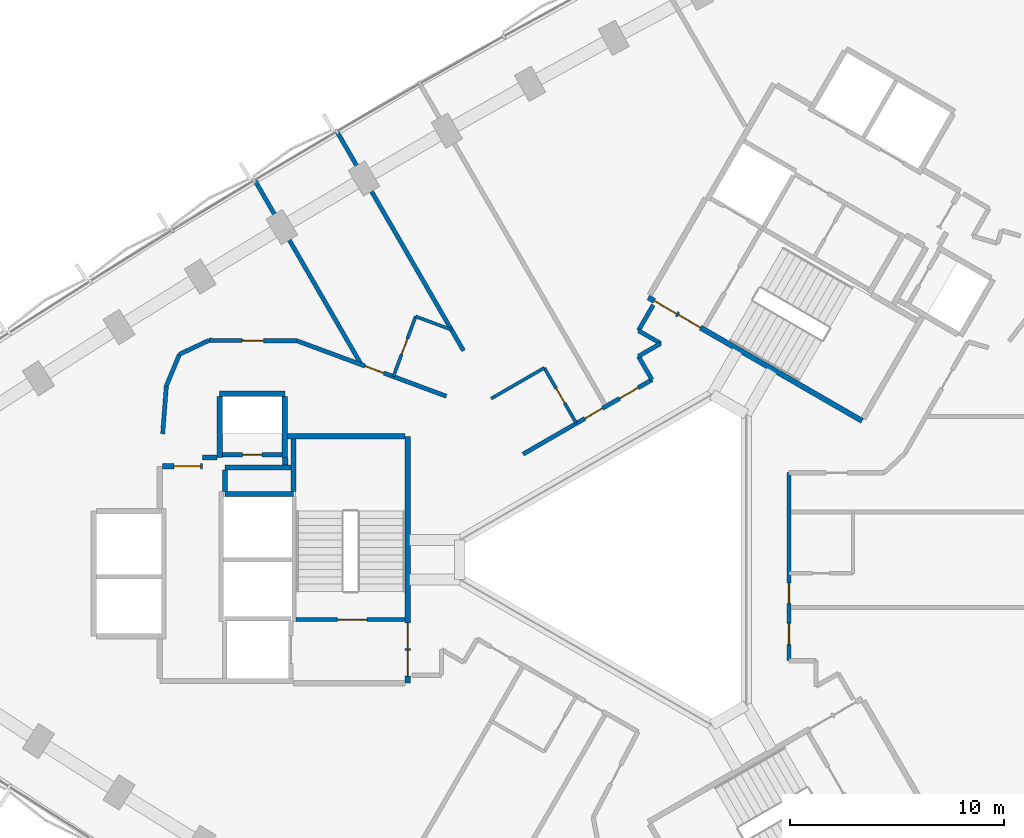
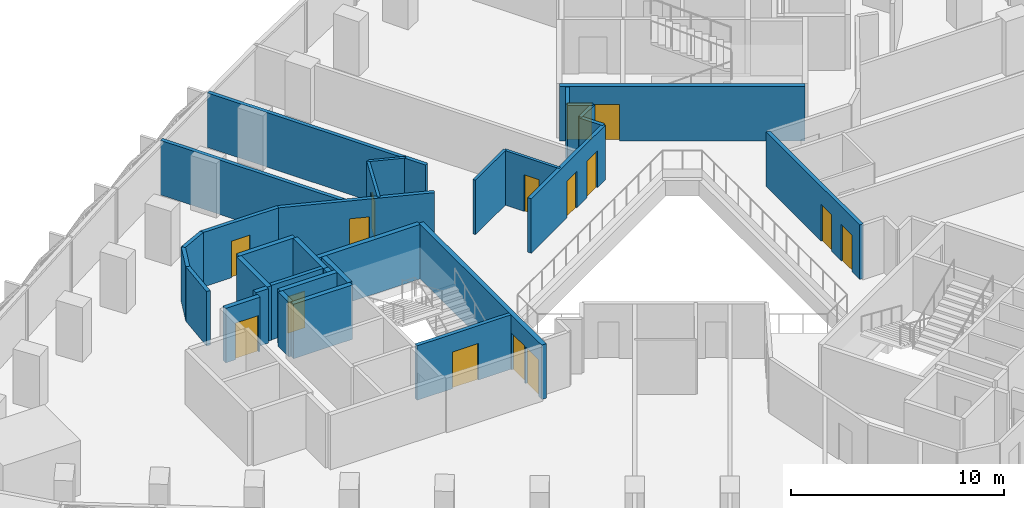
# One storey, part 10 of 15: 32 walls, 15 doors, 15 openings.
"""IFC4 building model written with IfcOpenShell, lengths in metres."""

from ifc_helpers import new_model, si_unit, direction, frame, frame_2d, origin, place, context, subcontext, project, spatial, rectangle, extrude, material, layer, layer_set, type_object, element, fill, save


model = new_model("IFC4")

# Units and contexts
model_context = context("Model", 3, precision=1e-05, world=origin(), true_north=direction((0.0, 1.0)))
body_context = subcontext(model_context, "Body", "Model", "MODEL_VIEW")
ifc_project = project(units=[si_unit("LENGTHUNIT", "METRE"), si_unit("AREAUNIT", "SQUARE_METRE"), si_unit("VOLUMEUNIT", "CUBIC_METRE"), si_unit("PLANEANGLEUNIT", "RADIAN"), si_unit("MASSUNIT", "GRAM", prefix="KILO")], contexts=[model_context])

# Site, building, storey
site_placement = place(None, origin())
site = spatial("IfcSite", under=ifc_project, at=site_placement, CompositionType="ELEMENT")
building_placement = place(site_placement, origin())
building = spatial("IfcBuilding", under=site, at=building_placement, Name="Tamra Quay Hotel Tower", CompositionType="ELEMENT")
storey_placement = place(building_placement, frame((0.0, 0.0, 63.800048828125)))
storey = spatial("IfcBuildingStorey", under=building, at=storey_placement, Name="L14", CompositionType="ELEMENT", Elevation=63.800048828125)

# Wall, opening, door
ifc_material_1 = material(Name="Concrete M70", Category="concrete")
ifc_layer_1 = layer(ifc_material_1, 0.199951171875)
ifc_layer_set_1 = layer_set([ifc_layer_1], Name="Concrete M70 core wall 200")
wall_type_1 = type_object("IfcWallType", Name="Concrete M70 core wall 200", PredefinedType="SHEAR", material=ifc_layer_set_1)
wall_1_placement = place(storey_placement, frame((-10.96337890625, -2.800048828125, 0.0), z_axis=(0.0, 0.0, 1.0), x_axis=(-1.0, 0.0, 0.0)))
wall_1 = element("IfcWall", 1, at=wall_1_placement, inside=storey, type_object=wall_type_1, Name="CW2", PredefinedType="SHEAR", context=body_context, shape_type="SweptSolid", body=[
    extrude(rectangle(XDim=5.097900390625, YDim=0.199951171875, at=frame_2d((2.548828125, 0.0))), origin(), (0.0, 0.0, 1.0), 3.125),
])
opening_1_placement = place(wall_1_placement, frame((1.77392578125, 0.0, 0.0)))
opening_1 = element("IfcOpeningElement", 2, at=opening_1_placement, cuts=wall_1, Name="Opening FD2", PredefinedType="OPENING", context=body_context, shape_type="SweptSolid", body=[
    extrude(rectangle(XDim=1.39990234375, YDim=2.10009765625, at=frame_2d((0.699951171875, 1.050048828125))), frame((0.0, 0.10986328125, 0.0), z_axis=(0.0, -1.0, 0.0), x_axis=(1.0, 0.0, 0.0)), (0.0, 0.0, 1.0), 0.219970703125),
])
ifc_material_2 = material(Name="Core door FD2 1400x2100 RH")
door_type_1 = type_object("IfcDoorType", Name="Core door FD2 1400x2100 RH", OperationType="NOTDEFINED", PredefinedType="DOOR", material=ifc_material_2)
door_1_placement = place(opening_1_placement, origin())
door_1 = element("IfcDoor", 3, at=door_1_placement, inside=storey, type_object=door_type_1, Name="FD2", OperationType="SINGLE_SWING_RIGHT", OverallHeight=2.10009765625, OverallWidth=1.39990234375, PredefinedType="DOOR", context=body_context, shape_type="SweptSolid", body=[
    extrude(rectangle(XDim=1.39990234375, YDim=2.10009765625, at=frame_2d((0.699951171875, 1.050048828125))), frame((0.0, 0.02490234375, 0.0), z_axis=(0.0, -1.0, 0.0), x_axis=(1.0, 0.0, 0.0)), (0.0, 0.0, 1.0), 0.050048828125),
])
fill(opening_1, door_1)

wall_2_placement = place(storey_placement, frame((-19.51123046875, 4.91015625, 0.0), z_axis=(0.0, 0.0, 1.0), x_axis=(1.0, 0.0, 0.0)))
wall_2 = element("IfcWall", 4, at=wall_2_placement, inside=storey, type_object=wall_type_1, Name="CW2", PredefinedType="SHEAR", context=body_context, shape_type="SweptSolid", body=[
    extrude(rectangle(XDim=2.7978515625, YDim=0.199951171875, at=frame_2d((1.39892578125, 0.0))), origin(), (0.0, 0.0, 1.0), 3.125),
])
opening_2_placement = place(wall_2_placement, frame((0.948974609375, 0.0, 0.0)))
opening_2 = element("IfcOpeningElement", 5, at=opening_2_placement, cuts=wall_2, Name="Opening D1", PredefinedType="OPENING", context=body_context, shape_type="SweptSolid", body=[
    extrude(rectangle(XDim=0.89990234375, YDim=2.10009765625, at=frame_2d((0.449951171875, 1.050048828125))), frame((0.0, 0.10986328125, 0.0), z_axis=(0.0, -1.0, 0.0), x_axis=(1.0, 0.0, 0.0)), (0.0, 0.0, 1.0), 0.219970703125),
])
ifc_material_3 = material(Name="Core door D1 900x2100 LH")
door_type_2 = type_object("IfcDoorType", Name="Core door D1 900x2100 LH", OperationType="NOTDEFINED", PredefinedType="DOOR", material=ifc_material_3)
door_2_placement = place(opening_2_placement, origin())
door_2 = element("IfcDoor", 6, at=door_2_placement, inside=storey, type_object=door_type_2, Name="D1", OperationType="SINGLE_SWING_LEFT", OverallHeight=2.10009765625, OverallWidth=0.89990234375, PredefinedType="DOOR", context=body_context, shape_type="SweptSolid", body=[
    extrude(rectangle(XDim=0.89990234375, YDim=2.10009765625, at=frame_2d((0.449951171875, 1.050048828125))), frame((0.0, 0.02490234375, 0.0), z_axis=(0.0, -1.0, 0.0), x_axis=(1.0, 0.0, 0.0)), (0.0, 0.0, 1.0), 0.050048828125),
])
fill(opening_2, door_2)

# Wall, openings, doors
ifc_layer_2 = layer(ifc_material_1, 0.25)
ifc_layer_set_2 = layer_set([ifc_layer_2], Name="Concrete M70 core wall 250")
wall_type_2 = type_object("IfcWallType", Name="Concrete M70 core wall 250", PredefinedType="SHEAR", material=ifc_layer_set_2)
wall_3_placement = place(storey_placement, frame((-10.83740234375, 5.77490234375, 0.0), z_axis=(0.0, 0.0, 1.0), x_axis=(0.0, -1.0, 0.0)))
wall_3 = element("IfcWall", 7, at=wall_3_placement, inside=storey, type_object=wall_type_2, Name="CW1", PredefinedType="SHEAR", context=body_context, shape_type="SweptSolid", body=[
    extrude(rectangle(XDim=11.5498046875, YDim=0.25, at=frame_2d((5.77490234375, 0.0))), origin(), (0.0, 0.0, 1.0), 3.125),
])
opening_3_placement = place(wall_3_placement, frame((10.02490234375, 0.0, 0.0)))
opening_3 = element("IfcOpeningElement", 8, at=opening_3_placement, cuts=wall_3, Name="Opening FD1", PredefinedType="OPENING", context=body_context, shape_type="SweptSolid", body=[
    extrude(rectangle(XDim=1.199951171875, YDim=2.10009765625, at=frame_2d((0.60009765625, 1.050048828125))), frame((0.0, 0.135009765625, 0.0), z_axis=(0.0, -1.0, 0.0), x_axis=(1.0, 0.0, 0.0)), (0.0, 0.0, 1.0), 0.27001953125),
])
opening_4_placement = place(wall_3_placement, frame((8.72509765625, 0.0, 0.0)))
opening_4 = element("IfcOpeningElement", 9, at=opening_4_placement, cuts=wall_3, Name="Opening FD1", PredefinedType="OPENING", context=body_context, shape_type="SweptSolid", body=[
    extrude(rectangle(XDim=1.199951171875, YDim=2.10009765625, at=frame_2d((0.60009765625, 1.050048828125))), frame((0.0, 0.135009765625, 0.0), z_axis=(0.0, -1.0, 0.0), x_axis=(1.0, 0.0, 0.0)), (0.0, 0.0, 1.0), 0.27001953125),
])
ifc_material_4 = material(Name="Core door FD1 1200x2100 LH")
door_type_3 = type_object("IfcDoorType", Name="Core door FD1 1200x2100 LH", OperationType="NOTDEFINED", PredefinedType="DOOR", material=ifc_material_4)
door_3_placement = place(opening_3_placement, origin())
door_3 = element("IfcDoor", 10, at=door_3_placement, inside=storey, type_object=door_type_3, Name="FD1", OperationType="SINGLE_SWING_LEFT", OverallHeight=2.10009765625, OverallWidth=1.199951171875, PredefinedType="DOOR", context=body_context, shape_type="SweptSolid", body=[
    extrude(rectangle(XDim=1.199951171875, YDim=2.10009765625, at=frame_2d((0.60009765625, 1.050048828125))), frame((0.0, 0.02490234375, 0.0), z_axis=(0.0, -1.0, 0.0), x_axis=(1.0, 0.0, 0.0)), (0.0, 0.0, 1.0), 0.050048828125),
])
fill(opening_3, door_3)
ifc_material_5 = material(Name="Core door FD1 1200x2100 RH")
door_type_4 = type_object("IfcDoorType", Name="Core door FD1 1200x2100 RH", OperationType="NOTDEFINED", PredefinedType="DOOR", material=ifc_material_5)
door_4_placement = place(opening_4_placement, origin())
door_4 = element("IfcDoor", 11, at=door_4_placement, inside=storey, type_object=door_type_4, Name="FD1", OperationType="SINGLE_SWING_RIGHT", OverallHeight=2.10009765625, OverallWidth=1.199951171875, PredefinedType="DOOR", context=body_context, shape_type="SweptSolid", body=[
    extrude(rectangle(XDim=1.199951171875, YDim=2.10009765625, at=frame_2d((0.60009765625, 1.050048828125))), frame((0.0, 0.02490234375, 0.0), z_axis=(0.0, -1.0, 0.0), x_axis=(1.0, 0.0, 0.0)), (0.0, 0.0, 1.0), 0.050048828125),
])
fill(opening_4, door_4)

# Walls
wall_4_placement = place(storey_placement, frame((-16.47216796875, 5.77490234375, 0.0), z_axis=(0.0, 0.0, 1.0), x_axis=(1.0, 0.0, 0.0)))
element("IfcWall", 12, at=wall_4_placement, inside=storey, type_object=wall_type_2, Name="CW1", PredefinedType="SHEAR", context=body_context, shape_type="SweptSolid", body=[
    extrude(rectangle(XDim=5.509521484375, YDim=0.25, at=frame_2d((2.7548828125, 0.0))), origin(), (0.0, 0.0, 1.0), 3.125),
])
wall_5_placement = place(storey_placement, frame((-19.38720703125, 3.074951171875, 0.0), z_axis=(0.0, 0.0, 1.0), x_axis=(1.0, 0.0, 0.0)))
element("IfcWall", 13, at=wall_5_placement, inside=storey, type_object=wall_type_2, Name="CW1", PredefinedType="SHEAR", context=body_context, shape_type="SweptSolid", body=[
    extrude(rectangle(XDim=3.199951171875, YDim=0.25, at=frame_2d((1.60009765625, 0.0))), origin(), (0.0, 0.0, 1.0), 3.125),
])
wall_6_placement = place(storey_placement, frame((-19.63720703125, 7.77490234375, 0.0), z_axis=(0.0, 0.0, 1.0), x_axis=(1.0, 0.0, 0.0)))
element("IfcWall", 14, at=wall_6_placement, inside=storey, type_object=wall_type_2, Name="CW1", PredefinedType="SHEAR", context=body_context, shape_type="SweptSolid", body=[
    extrude(rectangle(XDim=3.0498046875, YDim=0.25, at=frame_2d((1.52490234375, 0.0))), origin(), (0.0, 0.0, 1.0), 3.125),
])
for number, where, z_axis, x_axis, name in (
    (15, (-16.58740234375, 7.649658203125, 0.0), (0.0, 0.0, 1.0), (0.0, -1.0, 0.0), "CW1"),
    (16, (-19.63720703125, 4.784912109375, 0.0), (0.0, 0.0, 1.0), (0.0, 1.0, 0.0), "CW1"),
):
    element("IfcWall", number, at=place(storey_placement, frame(where, z_axis=z_axis, x_axis=x_axis)), inside=storey, type_object=wall_type_2, Name=name, PredefinedType="SHEAR", context=body_context, shape_type="SweptSolid", body=[
        extrude(rectangle(XDim=2.86474609375, YDim=0.25, at=frame_2d((1.432373046875, 0.0))), origin(), (0.0, 0.0, 1.0), 3.125),
    ])
wall_7_placement = place(storey_placement, frame((-16.30224609375, 4.31494140625, 0.0), z_axis=(0.0, 0.0, 1.0), x_axis=(-1.0, 0.0, 0.0)))
element("IfcWall", 17, at=wall_7_placement, inside=storey, type_object=wall_type_2, Name="CW1", PredefinedType="SHEAR", context=body_context, shape_type="SweptSolid", body=[
    extrude(rectangle(XDim=3.0849609375, YDim=0.25, at=frame_2d((1.54248046875, 0.0))), origin(), (0.0, 0.0, 1.0), 3.125),
])
wall_8_placement = place(storey_placement, frame((-16.187255859375, 3.200439453125, 0.0), z_axis=(0.0, 0.0, 1.0), x_axis=(0.0, 1.0, 0.0)))
element("IfcWall", 18, at=wall_8_placement, inside=storey, type_object=wall_type_2, Name="CW1", PredefinedType="SHEAR", context=body_context, shape_type="SweptSolid", body=[
    extrude(rectangle(XDim=2.44921875, YDim=0.25, at=frame_2d((1.224609375, 0.0))), origin(), (0.0, 0.0, 1.0), 3.125),
])

# Wall, opening, door
wall_9_placement = place(storey_placement, frame((-22.311767578125, 4.375, 0.0), z_axis=(0.0, 0.0, 1.0), x_axis=(1.0, 0.0, 0.0)))
wall_9 = element("IfcWall", 19, at=wall_9_placement, inside=storey, type_object=wall_type_2, Name="CW1", PredefinedType="SHEAR", context=body_context, shape_type="SweptSolid", body=[
    extrude(rectangle(XDim=1.864501953125, YDim=0.25, at=frame_2d((0.93212890625, 0.0))), origin(), (0.0, 0.0, 1.0), 3.125),
])
opening_5_placement = place(wall_9_placement, frame((0.53466796875, 0.0, 0.0)))
opening_5 = element("IfcOpeningElement", 20, at=opening_5_placement, cuts=wall_9, Name="Opening FD3", PredefinedType="OPENING", context=body_context, shape_type="SweptSolid", body=[
    extrude(rectangle(XDim=1.25, YDim=2.10009765625, at=frame_2d((0.625, 1.050048828125))), frame((0.0, 0.135009765625, 0.0), z_axis=(0.0, -1.0, 0.0), x_axis=(1.0, 0.0, 0.0)), (0.0, 0.0, 1.0), 0.27001953125),
])
ifc_material_6 = material(Name="Core door FD3 1250x2100 LH")
door_type_5 = type_object("IfcDoorType", Name="Core door FD3 1250x2100 LH", OperationType="NOTDEFINED", PredefinedType="DOOR", material=ifc_material_6)
door_5_placement = place(opening_5_placement, origin())
door_5 = element("IfcDoor", 21, at=door_5_placement, inside=storey, type_object=door_type_5, Name="FD3", OperationType="SINGLE_SWING_LEFT", OverallHeight=2.10009765625, OverallWidth=1.25, PredefinedType="DOOR", context=body_context, shape_type="SweptSolid", body=[
    extrude(rectangle(XDim=1.25, YDim=2.10009765625, at=frame_2d((0.625, 1.050048828125))), frame((0.0, 0.02490234375, 0.0), z_axis=(0.0, -1.0, 0.0), x_axis=(1.0, 0.0, 0.0)), (0.0, 0.0, 1.0), 0.050048828125),
])
fill(opening_5, door_5)

# Walls
wall_10_placement = place(storey_placement, frame((-19.38720703125, 4.189697265625, 0.0), z_axis=(0.0, 0.0, 1.0), x_axis=(0.0, -1.0, 0.0)))
element("IfcWall", 22, at=wall_10_placement, inside=storey, type_object=wall_type_2, Name="CW1", PredefinedType="SHEAR", context=body_context, shape_type="SweptSolid", body=[
    extrude(rectangle(XDim=0.9892578125, YDim=0.25, at=frame_2d((0.49462890625, 0.0))), origin(), (0.0, 0.0, 1.0), 3.125),
])
wall_11_placement = place(storey_placement, frame((-20.447265625, 4.784912109375, 0.0), z_axis=(0.0, 0.0, 1.0), x_axis=(1.0, 0.0, 0.0)))
element("IfcWall", 23, at=wall_11_placement, inside=storey, type_object=wall_type_2, Name="CW1", PredefinedType="SHEAR", context=body_context, shape_type="SweptSolid", body=[
    extrude(rectangle(XDim=0.6845703125, YDim=0.25, at=frame_2d((0.34228515625, 0.0))), origin(), (0.0, 0.0, 1.0), 3.125),
])
wall_12_placement = place(storey_placement, frame((-16.577392578125, 4.784912109375, 0.0), z_axis=(0.0, 0.0, 1.0), x_axis=(0.0, -1.0, 0.0)))
element("IfcWall", 24, at=wall_12_placement, inside=storey, type_object=wall_type_2, Name="CW1", PredefinedType="SHEAR", context=body_context, shape_type="SweptSolid", body=[
    extrude(rectangle(XDim=0.344482421875, YDim=0.25, at=frame_2d((0.17236328125, 0.0))), origin(), (0.0, 0.0, 1.0), 3.125),
])

# Wall, openings, doors
wall_13_placement = place(storey_placement, frame((10.419921875, 6.497802734375, 0.0), z_axis=(0.0, 0.0, 1.0), x_axis=(-0.866021906294, 0.500006057782, 0.0)))
wall_13 = element("IfcWall", 25, at=wall_13_placement, inside=storey, type_object=wall_type_2, Name="CW1", PredefinedType="SHEAR", context=body_context, shape_type="SweptSolid", body=[
    extrude(rectangle(XDim=11.550048828125, YDim=0.25, at=frame_2d((5.77490234375, 0.0))), origin(), (0.0, 0.0, 1.0), 3.125),
])
opening_6_placement = place(wall_13_placement, frame((10.02490234375, 0.0, 0.0)))
opening_6 = element("IfcOpeningElement", 26, at=opening_6_placement, cuts=wall_13, Name="Opening FD1", PredefinedType="OPENING", context=body_context, shape_type="SweptSolid", body=[
    extrude(rectangle(XDim=1.199951171875, YDim=2.10009765625, at=frame_2d((0.60009765625, 1.050048828125))), frame((0.0, 0.135009765625, 0.0), z_axis=(0.0, -1.0, 0.0), x_axis=(1.0, 0.0, 0.0)), (0.0, 0.0, 1.0), 0.27001953125),
])
opening_7_placement = place(wall_13_placement, frame((8.724853515625, 0.0, 0.0)))
opening_7 = element("IfcOpeningElement", 27, at=opening_7_placement, cuts=wall_13, Name="Opening FD1", PredefinedType="OPENING", context=body_context, shape_type="SweptSolid", body=[
    extrude(rectangle(XDim=1.199951171875, YDim=2.10009765625, at=frame_2d((0.60009765625, 1.050048828125))), frame((0.0, 0.135009765625, 0.0), z_axis=(0.0, -1.0, 0.0), x_axis=(1.0, 0.0, 0.0)), (0.0, 0.0, 1.0), 0.27001953125),
])
door_6_placement = place(opening_6_placement, origin())
door_6 = element("IfcDoor", 28, at=door_6_placement, inside=storey, type_object=door_type_3, Name="FD1", OperationType="SINGLE_SWING_LEFT", OverallHeight=2.10009765625, OverallWidth=1.199951171875, PredefinedType="DOOR", context=body_context, shape_type="SweptSolid", body=[
    extrude(rectangle(XDim=1.199951171875, YDim=2.10009765625, at=frame_2d((0.60009765625, 1.050048828125))), frame((0.0, 0.02490234375, 0.0), z_axis=(0.0, -1.0, 0.0), x_axis=(1.0, 0.0, 0.0)), (0.0, 0.0, 1.0), 0.050048828125),
])
fill(opening_6, door_6)
door_7_placement = place(opening_7_placement, origin())
door_7 = element("IfcDoor", 29, at=door_7_placement, inside=storey, type_object=door_type_4, Name="FD1", OperationType="SINGLE_SWING_RIGHT", OverallHeight=2.10009765625, OverallWidth=1.199951171875, PredefinedType="DOOR", context=body_context, shape_type="SweptSolid", body=[
    extrude(rectangle(XDim=1.199951171875, YDim=2.10009765625, at=frame_2d((0.60009765625, 1.050048828125))), frame((0.0, 0.02490234375, 0.0), z_axis=(0.0, -1.0, 0.0), x_axis=(1.0, 0.0, 0.0)), (0.0, 0.0, 1.0), 0.050048828125),
])
fill(opening_7, door_7)

# Walls
ifc_material_7 = material(Name="Partition corridor wall")
ifc_layer_3 = layer(ifc_material_7, 0.199951171875)
ifc_layer_set_3 = layer_set([ifc_layer_3], Name="Partition corridor wall")
wall_type_3 = type_object("IfcWallType", Name="Partition corridor wall", PredefinedType="PARTITIONING", material=ifc_layer_set_3)
wall_14_placement = place(storey_placement, frame((-22.305908203125, 5.89501953125, 0.0), z_axis=(0.0, 0.0, 1.0), x_axis=(0.076246699626, 0.997088983389, 0.0)))
element("IfcWall", 30, at=wall_14_placement, inside=storey, type_object=wall_type_3, Name="W-C", PredefinedType="PARTITIONING", context=body_context, shape_type="SweptSolid", body=[
    extrude(rectangle(XDim=2.241455078125, YDim=0.199951171875, at=frame_2d((1.12060546875, 0.0))), origin(), (0.0, 0.0, 1.0), 3.125),
])
wall_15_placement = place(storey_placement, frame((-22.135009765625, 8.134033203125, 0.0), z_axis=(0.0, 0.0, 1.0), x_axis=(0.383208453534, 0.923661886807, 0.0)))
element("IfcWall", 31, at=wall_15_placement, inside=storey, type_object=wall_type_3, Name="W-C", PredefinedType="PARTITIONING", context=body_context, shape_type="SweptSolid", body=[
    extrude(rectangle(XDim=1.602294921875, YDim=0.199951171875, at=frame_2d((0.80126953125, 0.0))), origin(), (0.0, 0.0, 1.0), 3.125),
])
wall_16_placement = place(storey_placement, frame((-21.52099609375, 9.614013671875, 0.0), z_axis=(0.0, 0.0, 1.0), x_axis=(0.904083527367, 0.427355795028, 0.0)))
element("IfcWall", 32, at=wall_16_placement, inside=storey, type_object=wall_type_3, Name="W-C", PredefinedType="PARTITIONING", context=body_context, shape_type="SweptSolid", body=[
    extrude(rectangle(XDim=1.52294921875, YDim=0.199951171875, at=frame_2d((0.761474609375, 0.0))), origin(), (0.0, 0.0, 1.0), 3.125),
])

# Wall, opening, door
wall_17_placement = place(storey_placement, frame((-20.14306640625, 10.26611328125, 0.0), z_axis=(0.0, 0.0, 1.0), x_axis=(0.999989297417, -0.004626559416, 0.0)))
wall_17 = element("IfcWall", 33, at=wall_17_placement, inside=storey, type_object=wall_type_3, Name="W-C", PredefinedType="PARTITIONING", context=body_context, shape_type="SweptSolid", body=[
    extrude(rectangle(XDim=4.115966796875, YDim=0.199951171875, at=frame_2d((2.05810546875, 0.0))), origin(), (0.0, 0.0, 1.0), 3.125),
])
opening_8_placement = place(wall_17_placement, frame((1.55810546875, 0.0, 0.0)))
opening_8 = element("IfcOpeningElement", 34, at=opening_8_placement, cuts=wall_17, Name="Opening L14-D011", PredefinedType="OPENING", context=body_context, shape_type="SweptSolid", body=[
    extrude(rectangle(XDim=1.0, YDim=2.10009765625, at=frame_2d((0.5, 1.050048828125))), frame((0.0, 0.10986328125, 0.0), z_axis=(0.0, -1.0, 0.0), x_axis=(1.0, 0.0, 0.0)), (0.0, 0.0, 1.0), 0.219970703125),
])
ifc_material_8 = material(Name="Door guest room 1000x2100")
door_type_6 = type_object("IfcDoorType", Name="Door guest room 1000x2100", OperationType="NOTDEFINED", PredefinedType="DOOR", material=ifc_material_8)
door_8_placement = place(opening_8_placement, origin())
door_8 = element("IfcDoor", 35, at=door_8_placement, inside=storey, type_object=door_type_6, Name="L14-D011", OperationType="SINGLE_SWING_LEFT", OverallHeight=2.10009765625, OverallWidth=1.0, PredefinedType="DOOR", context=body_context, shape_type="SweptSolid", body=[
    extrude(rectangle(XDim=1.0, YDim=2.10009765625, at=frame_2d((0.5, 1.050048828125))), frame((0.0, 0.02490234375, 0.0), z_axis=(0.0, -1.0, 0.0), x_axis=(1.0, 0.0, 0.0)), (0.0, 0.0, 1.0), 0.050048828125),
])
fill(opening_8, door_8)

wall_18_placement = place(storey_placement, frame((-16.02587890625, 10.24658203125, 0.0), z_axis=(0.0, 0.0, 1.0), x_axis=(0.937540909117, -0.347875040397, 0.0)))
wall_18 = element("IfcWall", 36, at=wall_18_placement, inside=storey, type_object=wall_type_3, Name="W-C", PredefinedType="PARTITIONING", context=body_context, shape_type="SweptSolid", body=[
    extrude(rectangle(XDim=7.458740234375, YDim=0.199951171875, at=frame_2d((3.7294921875, 0.0))), origin(), (0.0, 0.0, 1.0), 3.125),
])
opening_9_placement = place(wall_18_placement, frame((3.3955078125, 0.0, 0.0)))
opening_9 = element("IfcOpeningElement", 37, at=opening_9_placement, cuts=wall_18, Name="Opening L14-D009", PredefinedType="OPENING", context=body_context, shape_type="SweptSolid", body=[
    extrude(rectangle(XDim=0.949951171875, YDim=2.10009765625, at=frame_2d((0.47509765625, 1.050048828125))), frame((0.0, 0.10986328125, 0.0), z_axis=(0.0, -1.0, 0.0), x_axis=(1.0, 0.0, 0.0)), (0.0, 0.0, 1.0), 0.219970703125),
])
ifc_material_9 = material(Name="Door guest room 950x2100")
door_type_7 = type_object("IfcDoorType", Name="Door guest room 950x2100", OperationType="NOTDEFINED", PredefinedType="DOOR", material=ifc_material_9)
door_9_placement = place(opening_9_placement, origin())
door_9 = element("IfcDoor", 38, at=door_9_placement, inside=storey, type_object=door_type_7, Name="L14-D009", OperationType="SINGLE_SWING_LEFT", OverallHeight=2.10009765625, OverallWidth=0.949951171875, PredefinedType="DOOR", context=body_context, shape_type="SweptSolid", body=[
    extrude(rectangle(XDim=0.949951171875, YDim=2.10009765625, at=frame_2d((0.47509765625, 1.050048828125))), frame((0.0, 0.02490234375, 0.0), z_axis=(0.0, -1.0, 0.0), x_axis=(1.0, 0.0, 0.0)), (0.0, 0.0, 1.0), 0.050048828125),
])
fill(opening_9, door_9)

# Wall, openings, doors
wall_19_placement = place(storey_placement, frame((-5.4462890625, 4.939697265625, 0.0), z_axis=(0.0, 0.0, 1.0), x_axis=(0.866096332545, 0.499877127655, 0.0)))
wall_19 = element("IfcWall", 39, at=wall_19_placement, inside=storey, type_object=wall_type_3, Name="W-C", PredefinedType="PARTITIONING", context=body_context, shape_type="SweptSolid", body=[
    extrude(rectangle(XDim=6.968505859375, YDim=0.199951171875, at=frame_2d((3.484375, 0.0))), origin(), (0.0, 0.0, 1.0), 3.125),
])
opening_10_placement = place(wall_19_placement, frame((5.21923828125, 0.0, 0.0)))
opening_10 = element("IfcOpeningElement", 40, at=opening_10_placement, cuts=wall_19, Name="Opening L14-D006", PredefinedType="OPENING", context=body_context, shape_type="SweptSolid", body=[
    extrude(rectangle(XDim=1.0, YDim=2.10009765625, at=frame_2d((0.5, 1.050048828125))), frame((0.0, 0.10986328125, 0.0), z_axis=(0.0, -1.0, 0.0), x_axis=(1.0, 0.0, 0.0)), (0.0, 0.0, 1.0), 0.219970703125),
])
opening_11_placement = place(wall_19_placement, frame((3.343994140625, 0.0, 0.0)))
opening_11 = element("IfcOpeningElement", 41, at=opening_11_placement, cuts=wall_19, Name="Opening L14-D007", PredefinedType="OPENING", context=body_context, shape_type="SweptSolid", body=[
    extrude(rectangle(XDim=0.949951171875, YDim=2.10009765625, at=frame_2d((0.47509765625, 1.050048828125))), frame((0.0, 0.10986328125, 0.0), z_axis=(0.0, -1.0, 0.0), x_axis=(1.0, 0.0, 0.0)), (0.0, 0.0, 1.0), 0.219970703125),
])
door_10_placement = place(opening_10_placement, origin())
door_10 = element("IfcDoor", 42, at=door_10_placement, inside=storey, type_object=door_type_6, Name="L14-D006", OperationType="SINGLE_SWING_LEFT", OverallHeight=2.10009765625, OverallWidth=1.0, PredefinedType="DOOR", context=body_context, shape_type="SweptSolid", body=[
    extrude(rectangle(XDim=1.0, YDim=2.10009765625, at=frame_2d((0.5, 1.050048828125))), frame((0.0, 0.02490234375, 0.0), z_axis=(0.0, -1.0, 0.0), x_axis=(1.0, 0.0, 0.0)), (0.0, 0.0, 1.0), 0.050048828125),
])
fill(opening_10, door_10)
door_11_placement = place(opening_11_placement, origin())
door_11 = element("IfcDoor", 43, at=door_11_placement, inside=storey, type_object=door_type_7, Name="L14-D007", OperationType="SINGLE_SWING_LEFT", OverallHeight=2.10009765625, OverallWidth=0.949951171875, PredefinedType="DOOR", context=body_context, shape_type="SweptSolid", body=[
    extrude(rectangle(XDim=0.949951171875, YDim=2.10009765625, at=frame_2d((0.47509765625, 1.050048828125))), frame((0.0, 0.02490234375, 0.0), z_axis=(0.0, -1.0, 0.0), x_axis=(1.0, 0.0, 0.0)), (0.0, 0.0, 1.0), 0.050048828125),
])
fill(opening_11, door_11)

# Walls
wall_20_placement = place(storey_placement, frame((-0.044921875, 9.52197265625, 0.0), z_axis=(0.0, 0.0, 1.0), x_axis=(0.86625675314, 0.499599076899, 0.0)))
element("IfcWall", 44, at=wall_20_placement, inside=storey, type_object=wall_type_3, Name="W-C", PredefinedType="PARTITIONING", context=body_context, shape_type="SweptSolid", body=[
    extrude(rectangle(XDim=1.19921875, YDim=0.199951171875, at=frame_2d((0.599609375, 0.0))), origin(), (0.0, 0.0, 1.0), 3.125),
])
wall_21_placement = place(storey_placement, frame((-0.044921875, 10.721923828125, 0.0), z_axis=(0.0, 0.0, 1.0), x_axis=(0.500107785535, 0.865963164833, 0.0)))
element("IfcWall", 45, at=wall_21_placement, inside=storey, type_object=wall_type_3, Name="W-C", PredefinedType="PARTITIONING", context=body_context, shape_type="SweptSolid", body=[
    extrude(rectangle(XDim=1.389404296875, YDim=0.199951171875, at=frame_2d((0.69482421875, 0.0))), origin(), (0.0, 0.0, 1.0), 3.125),
])
wall_22_placement = place(storey_placement, frame((-0.044921875, 9.52099609375, 0.0), z_axis=(0.0, 0.0, 1.0), x_axis=(0.500094716449, -0.865970712311, 0.0)))
element("IfcWall", 46, at=wall_22_placement, inside=storey, type_object=wall_type_3, Name="W-C", PredefinedType="PARTITIONING", context=body_context, shape_type="SweptSolid", body=[
    extrude(rectangle(XDim=1.267822265625, YDim=0.199951171875, at=frame_2d((0.6337890625, 0.0))), origin(), (0.0, 0.0, 1.0), 3.125),
])
wall_23_placement = place(storey_placement, frame((-0.044921875, 10.720947265625, 0.0), z_axis=(0.0, 0.0, 1.0), x_axis=(0.865992388649, -0.500057179532, 0.0)))
element("IfcWall", 47, at=wall_23_placement, inside=storey, type_object=wall_type_3, Name="W-C", PredefinedType="PARTITIONING", context=body_context, shape_type="SweptSolid", body=[
    extrude(rectangle(XDim=1.199462890625, YDim=0.199951171875, at=frame_2d((0.599609375, 0.0))), origin(), (0.0, 0.0, 1.0), 3.125),
])

# Wall, openings, doors
wall_24_placement = place(storey_placement, frame((7.0, -4.720947265625, 0.0), z_axis=(0.0, 0.0, 1.0), x_axis=(0.0, 1.0, 0.0)))
wall_24 = element("IfcWall", 48, at=wall_24_placement, inside=storey, type_object=wall_type_3, Name="W-C", PredefinedType="PARTITIONING", context=body_context, shape_type="SweptSolid", body=[
    extrude(rectangle(XDim=8.798828125, YDim=0.199951171875, at=frame_2d((4.3994140625, 0.0))), origin(), (0.0, 0.0, 1.0), 3.125),
])
opening_12_placement = place(wall_24_placement, frame((0.7490234375, 0.0, 0.0)))
opening_12 = element("IfcOpeningElement", 49, at=opening_12_placement, cuts=wall_24, Name="Opening L14-D001", PredefinedType="OPENING", context=body_context, shape_type="SweptSolid", body=[
    extrude(rectangle(XDim=1.0, YDim=2.10009765625, at=frame_2d((0.5, 1.050048828125))), frame((0.0, 0.10986328125, 0.0), z_axis=(0.0, -1.0, 0.0), x_axis=(1.0, 0.0, 0.0)), (0.0, 0.0, 1.0), 0.219970703125),
])
opening_13_placement = place(wall_24_placement, frame((2.674072265625, 0.0, 0.0)))
opening_13 = element("IfcOpeningElement", 50, at=opening_13_placement, cuts=wall_24, Name="Opening L14-D002", PredefinedType="OPENING", context=body_context, shape_type="SweptSolid", body=[
    extrude(rectangle(XDim=0.949951171875, YDim=2.10009765625, at=frame_2d((0.47509765625, 1.050048828125))), frame((0.0, 0.10986328125, 0.0), z_axis=(0.0, -1.0, 0.0), x_axis=(1.0, 0.0, 0.0)), (0.0, 0.0, 1.0), 0.219970703125),
])
door_12_placement = place(opening_12_placement, frame((1.0, 0.0, 0.0), z_axis=(0.0, 0.0, 1.0), x_axis=(-1.0, 0.0, 0.0)))
door_12 = element("IfcDoor", 51, at=door_12_placement, inside=storey, type_object=door_type_6, Name="L14-D001", OperationType="SINGLE_SWING_LEFT", OverallHeight=2.10009765625, OverallWidth=1.0, PredefinedType="DOOR", context=body_context, shape_type="SweptSolid", body=[
    extrude(rectangle(XDim=1.0, YDim=2.10009765625, at=frame_2d((0.5, 1.050048828125))), frame((0.0, 0.02490234375, 0.0), z_axis=(0.0, -1.0, 0.0), x_axis=(1.0, 0.0, 0.0)), (0.0, 0.0, 1.0), 0.050048828125),
])
fill(opening_12, door_12)
door_13_placement = place(opening_13_placement, frame((0.949951171875, 0.0, 0.0), z_axis=(0.0, 0.0, 1.0), x_axis=(-1.0, 0.0, 0.0)))
door_13 = element("IfcDoor", 52, at=door_13_placement, inside=storey, type_object=door_type_7, Name="L14-D002", OperationType="SINGLE_SWING_LEFT", OverallHeight=2.10009765625, OverallWidth=0.949951171875, PredefinedType="DOOR", context=body_context, shape_type="SweptSolid", body=[
    extrude(rectangle(XDim=0.949951171875, YDim=2.10009765625, at=frame_2d((0.47509765625, 1.050048828125))), frame((0.0, 0.02490234375, 0.0), z_axis=(0.0, -1.0, 0.0), x_axis=(1.0, 0.0, 0.0)), (0.0, 0.0, 1.0), 0.050048828125),
])
fill(opening_13, door_13)

# Wall, opening, door
ifc_material_10 = material(Name="Partition en-suite wall")
ifc_layer_4 = layer(ifc_material_10, 0.14990234375)
ifc_layer_set_4 = layer_set([ifc_layer_4], Name="Partition en-suite wall")
wall_type_4 = type_object("IfcWallType", Name="Partition en-suite wall", PredefinedType="PARTITIONING", material=ifc_layer_set_4)
wall_25_placement = place(storey_placement, frame((-11.512939453125, 8.572021484375, 0.0), z_axis=(0.0, 0.0, 1.0), x_axis=(0.347929104424, 0.937520846859, 0.0)))
wall_25 = element("IfcWall", 53, at=wall_25_placement, inside=storey, type_object=wall_type_4, Name="W-E", PredefinedType="PARTITIONING", context=body_context, shape_type="SweptSolid", body=[
    extrude(rectangle(XDim=3.00048828125, YDim=0.14990234375, at=frame_2d((1.500244140625, 0.0))), origin(), (0.0, 0.0, 1.0), 3.125),
])
opening_14_placement = place(wall_25_placement, frame((1.100341796875, 0.0, 0.0)))
opening_14 = element("IfcOpeningElement", 54, at=opening_14_placement, cuts=wall_25, Name="Opening L14-D010", PredefinedType="OPENING", context=body_context, shape_type="SweptSolid", body=[
    extrude(rectangle(XDim=0.800048828125, YDim=2.10009765625, at=frame_2d((0.39990234375, 1.050048828125))), frame((0.0, 0.0849609375, 0.0), z_axis=(0.0, -1.0, 0.0), x_axis=(1.0, 0.0, 0.0)), (0.0, 0.0, 1.0), 0.169921875),
])
ifc_material_11 = material(Name="Door en-suite 800x2100")
door_type_8 = type_object("IfcDoorType", Name="Door en-suite 800x2100", OperationType="NOTDEFINED", PredefinedType="DOOR", material=ifc_material_11)
door_14_placement = place(opening_14_placement, origin())
door_14 = element("IfcDoor", 55, at=door_14_placement, inside=storey, type_object=door_type_8, Name="L14-D010", OperationType="SINGLE_SWING_LEFT", OverallHeight=2.10009765625, OverallWidth=0.800048828125, PredefinedType="DOOR", context=body_context, shape_type="SweptSolid", body=[
    extrude(rectangle(XDim=0.800048828125, YDim=2.10009765625, at=frame_2d((0.39990234375, 1.050048828125))), frame((0.0, 0.02490234375, 0.0), z_axis=(0.0, -1.0, 0.0), x_axis=(1.0, 0.0, 0.0)), (0.0, 0.0, 1.0), 0.050048828125),
])
fill(opening_14, door_14)

# Walls
wall_26_placement = place(storey_placement, frame((-10.468994140625, 11.385009765625, 0.0), z_axis=(0.0, 0.0, 1.0), x_axis=(0.937487768635, -0.348018223173, 0.0)))
element("IfcWall", 56, at=wall_26_placement, inside=storey, type_object=wall_type_4, Name="W-E", PredefinedType="PARTITIONING", context=body_context, shape_type="SweptSolid", body=[
    extrude(rectangle(XDim=1.78466796875, YDim=0.14990234375, at=frame_2d((0.892333984375, 0.0))), origin(), (0.0, 0.0, 1.0), 3.125),
])
wall_27_placement = place(storey_placement, frame((-6.93603515625, 7.54296875, 0.0), z_axis=(0.0, 0.0, 1.0), x_axis=(0.866153027342, 0.499778884334, 0.0)))
element("IfcWall", 57, at=wall_27_placement, inside=storey, type_object=wall_type_4, Name="W-E", PredefinedType="PARTITIONING", context=body_context, shape_type="SweptSolid", body=[
    extrude(rectangle(XDim=2.871337890625, YDim=0.14990234375, at=frame_2d((1.435546875, 0.0))), origin(), (0.0, 0.0, 1.0), 3.125),
])

# Wall, opening, door
wall_28_placement = place(storey_placement, frame((-4.448974609375, 8.97802734375, 0.0), z_axis=(0.0, 0.0, 1.0), x_axis=(0.499745940409, -0.866172035478, 0.0)))
wall_28 = element("IfcWall", 58, at=wall_28_placement, inside=storey, type_object=wall_type_4, Name="W-E", PredefinedType="PARTITIONING", context=body_context, shape_type="SweptSolid", body=[
    extrude(rectangle(XDim=2.99951171875, YDim=0.14990234375, at=frame_2d((1.499755859375, 0.0))), origin(), (0.0, 0.0, 1.0), 3.125),
])
opening_15_placement = place(wall_28_placement, frame((1.099609375, 0.0, 0.0)))
opening_15 = element("IfcOpeningElement", 59, at=opening_15_placement, cuts=wall_28, Name="Opening L14-D008", PredefinedType="OPENING", context=body_context, shape_type="SweptSolid", body=[
    extrude(rectangle(XDim=0.800048828125, YDim=2.10009765625, at=frame_2d((0.39990234375, 1.050048828125))), frame((0.0, 0.0849609375, 0.0), z_axis=(0.0, -1.0, 0.0), x_axis=(1.0, 0.0, 0.0)), (0.0, 0.0, 1.0), 0.169921875),
])
door_15_placement = place(opening_15_placement, frame((0.800048828125, 0.0, 0.0), z_axis=(0.0, 0.0, 1.0), x_axis=(-1.0, 0.0, 0.0)))
door_15 = element("IfcDoor", 60, at=door_15_placement, inside=storey, type_object=door_type_8, Name="L14-D008", OperationType="SINGLE_SWING_LEFT", OverallHeight=2.10009765625, OverallWidth=0.800048828125, PredefinedType="DOOR", context=body_context, shape_type="SweptSolid", body=[
    extrude(rectangle(XDim=0.800048828125, YDim=2.10009765625, at=frame_2d((0.39990234375, 1.050048828125))), frame((0.0, 0.02490234375, 0.0), z_axis=(0.0, -1.0, 0.0), x_axis=(1.0, 0.0, 0.0)), (0.0, 0.0, 1.0), 0.050048828125),
])
fill(opening_15, door_15)

# Walls
ifc_material_12 = material(Name="Partition party wall")
ifc_layer_5 = layer(ifc_material_12, 0.199951171875)
ifc_layer_set_5 = layer_set([ifc_layer_5], Name="Partition party wall")
wall_type_5 = type_object("IfcWallType", Name="Partition party wall", PredefinedType="PARTITIONING", material=ifc_layer_set_5)
wall_29_placement = place(storey_placement, frame((-17.99560546875, 17.758056640625, 0.0), z_axis=(0.0, 0.0, 1.0), x_axis=(0.500046945013, -0.865998298372, 0.0)))
element("IfcWall", 61, at=wall_29_placement, inside=storey, type_object=wall_type_5, Name="W-P", PredefinedType="PARTITIONING", context=body_context, shape_type="SweptSolid", body=[
    extrude(rectangle(XDim=9.96435546875, YDim=0.199951171875, at=frame_2d((4.982177734375, 0.0))), origin(), (0.0, 0.0, 1.0), 3.125),
])
wall_30_placement = place(storey_placement, frame((-14.148681640625, 20.034912109375, 0.0), z_axis=(0.0, 0.0, 1.0), x_axis=(0.500022967158, -0.866012143284, 0.0)))
element("IfcWall", 62, at=wall_30_placement, inside=storey, type_object=wall_type_5, Name="W-P", PredefinedType="PARTITIONING", context=body_context, shape_type="SweptSolid", body=[
    extrude(rectangle(XDim=11.837890625, YDim=0.199951171875, at=frame_2d((5.9189453125, 0.0))), origin(), (0.0, 0.0, 1.0), 3.125),
])

save(model, "model.ifc")
